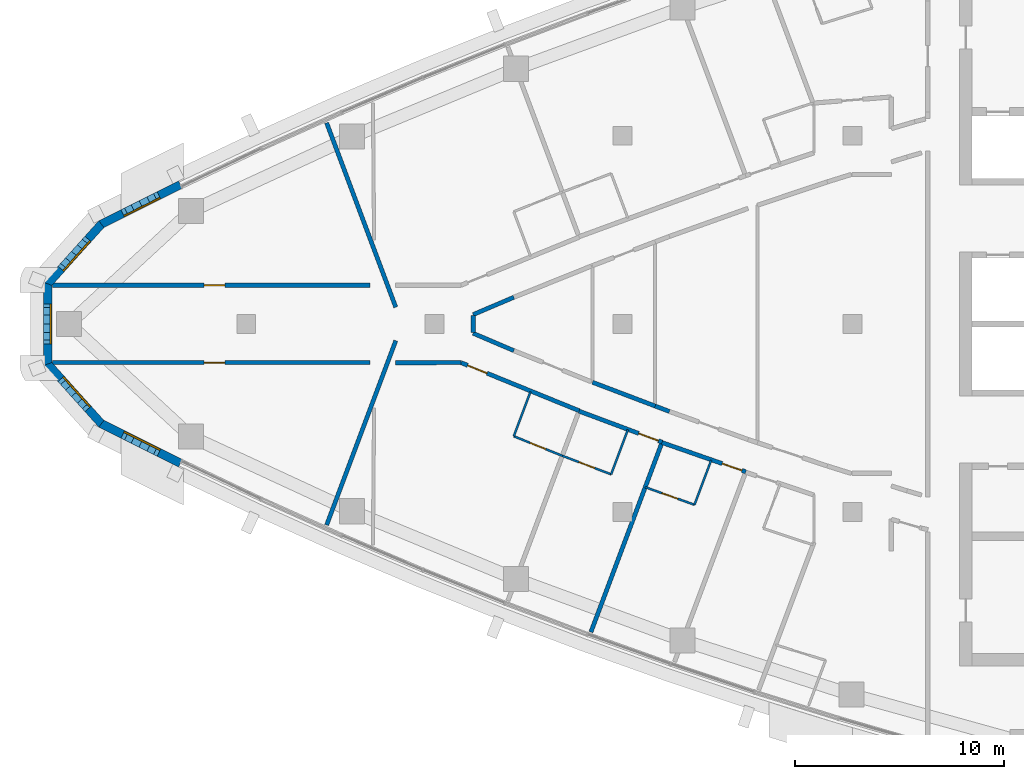
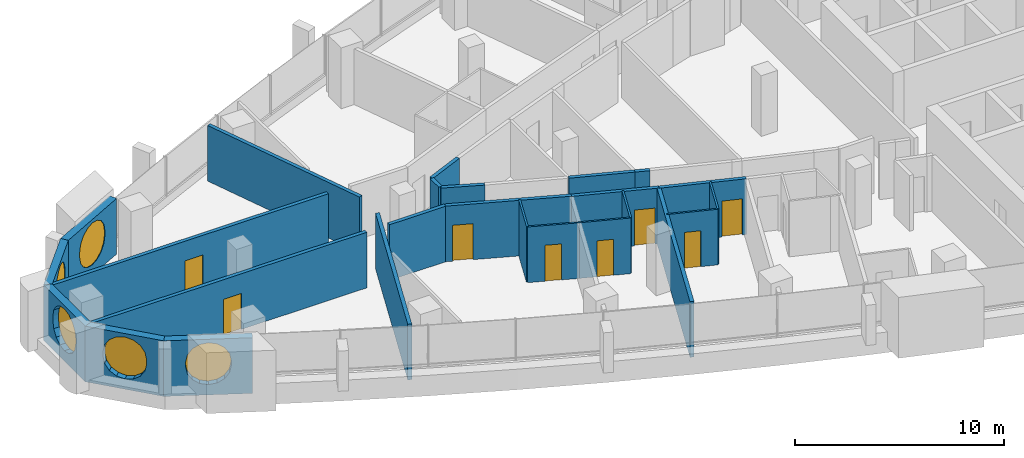
# One storey, part 8 of 16: 25 walls, 8 doors, 5 windows, 13 openings.
"""IFC4 building model written with IfcOpenShell, lengths in metres."""

from ifc_helpers import new_model, si_unit, direction, frame, frame_2d, origin, place, context, subcontext, project, spatial, polyline, rectangle, outline, extrude, material, layer, layer_set, type_object, element, fill, save


model = new_model("IFC4")

# Units and contexts
model_context = context("Model", 3, precision=1e-05, world=origin(), true_north=direction((0.0, 1.0)))
body_context = subcontext(model_context, "Body", "Model", "MODEL_VIEW")
ifc_project = project(units=[si_unit("LENGTHUNIT", "METRE"), si_unit("AREAUNIT", "SQUARE_METRE"), si_unit("VOLUMEUNIT", "CUBIC_METRE"), si_unit("PLANEANGLEUNIT", "RADIAN"), si_unit("MASSUNIT", "GRAM", prefix="KILO")], contexts=[model_context])

# Site, building, storey
site_placement = place(None, origin())
site = spatial("IfcSite", under=ifc_project, at=site_placement, CompositionType="ELEMENT")
building_placement = place(site_placement, origin())
building = spatial("IfcBuilding", under=site, at=building_placement, Name="Ostrand Prow Hotel Tower", CompositionType="ELEMENT")
storey_placement = place(building_placement, frame((0.0, 0.0, 224.35009765625)))
storey = spatial("IfcBuildingStorey", under=building, at=storey_placement, Name="L56", CompositionType="ELEMENT", Elevation=224.35009765625)

# Wall
ifc_material_1 = material(Name="Plasterboard partition")
ifc_layer_1 = layer(ifc_material_1, 0.10009765625)
ifc_layer_set_1 = layer_set([ifc_layer_1], Name="Plasterboard partition")
wall_type_1 = type_object("IfcWallType", Name="Partition 100 bathroom wall", PredefinedType="PARTITIONING", material=ifc_layer_set_1)
wall_1_placement = place(storey_placement, frame((28.792724609375, -5.371337890625, 0.0), z_axis=(0.0, 0.0, 1.0), x_axis=(0.351158682313, 0.936315961541, 0.0)))
element("IfcWall", 1, at=wall_1_placement, inside=storey, type_object=wall_type_1, Name="BATHROOM WALL", PredefinedType="PARTITIONING", context=body_context, shape_type="SweptSolid", body=[
    extrude(rectangle(XDim=2.277587890625, YDim=0.10009765625, at=frame_2d((1.138671875, 0.0))), origin(), (0.0, 0.0, 1.0), 3.25),
])

# Wall, opening, door
wall_2_placement = place(storey_placement, frame((31.112548828125, -6.3056640625, 0.0), z_axis=(0.0, 0.0, 1.0), x_axis=(-0.92761232595, 0.373544338394, 0.0)))
wall_2 = element("IfcWall", 2, at=wall_2_placement, inside=storey, type_object=wall_type_1, Name="BATHROOM WALL", PredefinedType="PARTITIONING", context=body_context, shape_type="SweptSolid", body=[
    extrude(rectangle(XDim=2.50048828125, YDim=0.10009765625, at=frame_2d((1.250244140625, 0.0))), origin(), (0.0, 0.0, 1.0), 3.25),
])
opening_1_placement = place(wall_2_placement, frame((0.85009765625, 0.0, 0.0)))
opening_1 = element("IfcOpeningElement", 3, at=opening_1_placement, cuts=wall_2, Name="Opening D2", PredefinedType="OPENING", context=body_context, shape_type="SweptSolid", body=[
    extrude(rectangle(XDim=0.800048828125, YDim=2.10009765625, at=frame_2d((0.39990234375, 1.050048828125))), frame((0.0, 0.06005859375, 0.0), z_axis=(0.0, -1.0, 0.0), x_axis=(1.0, 0.0, 0.0)), (0.0, 0.0, 1.0), 0.1201171875),
])
ifc_material_2 = material(Name="Timber door leaf", Category="wood")
door_type_1 = type_object("IfcDoorType", Name="Bathroom door 800", OperationType="SINGLE_SWING_LEFT", PredefinedType="DOOR", material=ifc_material_2)
door_1_placement = place(opening_1_placement, origin())
door_1 = element("IfcDoor", 4, at=door_1_placement, inside=storey, type_object=door_type_1, Name="DOOR", OperationType="SINGLE_SWING_LEFT", OverallHeight=2.10009765625, OverallWidth=0.800048828125, PredefinedType="DOOR", context=body_context, shape_type="SweptSolid", body=[
    extrude(rectangle(XDim=0.800048828125, YDim=2.10009765625, at=frame_2d((0.39990234375, 1.050048828125))), frame((0.0, 0.02490234375, 0.0), z_axis=(0.0, -1.0, 0.0), x_axis=(1.0, 0.0, 0.0)), (0.0, 0.0, 1.0), 0.050048828125),
])
fill(opening_1, door_1)

# Wall
wall_3_placement = place(storey_placement, frame((34.24951171875, -5.060546875, 0.0), z_axis=(0.0, 0.0, 1.0), x_axis=(-0.351135191353, -0.936324771323, 0.0)))
element("IfcWall", 5, at=wall_3_placement, inside=storey, type_object=wall_type_1, Name="BATHROOM WALL", PredefinedType="PARTITIONING", context=body_context, shape_type="SweptSolid", body=[
    extrude(rectangle(XDim=2.277099609375, YDim=0.10009765625, at=frame_2d((1.138671875, 0.0))), origin(), (0.0, 0.0, 1.0), 3.25),
])

# Wall, opening, door
wall_4_placement = place(storey_placement, frame((33.44970703125, -7.192626953125, 0.0), z_axis=(0.0, 0.0, 1.0), x_axis=(-0.93495051617, 0.354778145202, 0.0)))
wall_4 = element("IfcWall", 6, at=wall_4_placement, inside=storey, type_object=wall_type_1, Name="BATHROOM WALL", PredefinedType="PARTITIONING", context=body_context, shape_type="SweptSolid", body=[
    extrude(rectangle(XDim=2.49462890625, YDim=0.10009765625, at=frame_2d((1.247314453125, 0.0))), origin(), (0.0, 0.0, 1.0), 3.25),
])
opening_2_placement = place(wall_4_placement, frame((0.85009765625, 0.0, 0.0)))
opening_2 = element("IfcOpeningElement", 7, at=opening_2_placement, cuts=wall_4, Name="Opening D2", PredefinedType="OPENING", context=body_context, shape_type="SweptSolid", body=[
    extrude(rectangle(XDim=0.800048828125, YDim=2.10009765625, at=frame_2d((0.39990234375, 1.050048828125))), frame((0.0, 0.06005859375, 0.0), z_axis=(0.0, -1.0, 0.0), x_axis=(1.0, 0.0, 0.0)), (0.0, 0.0, 1.0), 0.1201171875),
])
door_2_placement = place(opening_2_placement, origin())
door_2 = element("IfcDoor", 8, at=door_2_placement, inside=storey, type_object=door_type_1, Name="DOOR", OperationType="SINGLE_SWING_LEFT", OverallHeight=2.10009765625, OverallWidth=0.800048828125, PredefinedType="DOOR", context=body_context, shape_type="SweptSolid", body=[
    extrude(rectangle(XDim=0.800048828125, YDim=2.10009765625, at=frame_2d((0.39990234375, 1.050048828125))), frame((0.0, 0.02490234375, 0.0), z_axis=(0.0, -1.0, 0.0), x_axis=(1.0, 0.0, 0.0)), (0.0, 0.0, 1.0), 0.050048828125),
])
fill(opening_2, door_2)

# Wall
wall_5_placement = place(storey_placement, frame((38.236083984375, -6.515625, 0.0), z_axis=(0.0, 0.0, 1.0), x_axis=(-0.351229183496, -0.936289517543, 0.0)))
element("IfcWall", 9, at=wall_5_placement, inside=storey, type_object=wall_type_1, Name="BATHROOM WALL", PredefinedType="PARTITIONING", context=body_context, shape_type="SweptSolid", body=[
    extrude(rectangle(XDim=2.277099609375, YDim=0.10009765625, at=frame_2d((1.138671875, 0.0))), origin(), (0.0, 0.0, 1.0), 3.25),
])

# Wall, opening, door
wall_6_placement = place(storey_placement, frame((37.436279296875, -8.64794921875, 0.0), z_axis=(0.0, 0.0, 1.0), x_axis=(-0.941896455552, 0.335903359641, 0.0)))
wall_6 = element("IfcWall", 10, at=wall_6_placement, inside=storey, type_object=wall_type_1, Name="BATHROOM WALL", PredefinedType="PARTITIONING", context=body_context, shape_type="SweptSolid", body=[
    extrude(rectangle(XDim=2.500244140625, YDim=0.10009765625, at=frame_2d((1.25, 0.0))), origin(), (0.0, 0.0, 1.0), 3.25),
])
opening_3_placement = place(wall_6_placement, frame((0.85009765625, 0.0, 0.0)))
opening_3 = element("IfcOpeningElement", 11, at=opening_3_placement, cuts=wall_6, Name="Opening D2", PredefinedType="OPENING", context=body_context, shape_type="SweptSolid", body=[
    extrude(rectangle(XDim=0.800048828125, YDim=2.10009765625, at=frame_2d((0.39990234375, 1.050048828125))), frame((0.0, 0.06005859375, 0.0), z_axis=(0.0, -1.0, 0.0), x_axis=(1.0, 0.0, 0.0)), (0.0, 0.0, 1.0), 0.1201171875),
])
door_3_placement = place(opening_3_placement, origin())
door_3 = element("IfcDoor", 12, at=door_3_placement, inside=storey, type_object=door_type_1, Name="DOOR", OperationType="SINGLE_SWING_LEFT", OverallHeight=2.10009765625, OverallWidth=0.800048828125, PredefinedType="DOOR", context=body_context, shape_type="SweptSolid", body=[
    extrude(rectangle(XDim=0.800048828125, YDim=2.10009765625, at=frame_2d((0.39990234375, 1.050048828125))), frame((0.0, 0.02490234375, 0.0), z_axis=(0.0, -1.0, 0.0), x_axis=(1.0, 0.0, 0.0)), (0.0, 0.0, 1.0), 0.050048828125),
])
fill(opening_3, door_3)

ifc_material_3 = material(Name="Plasterboard partition")
ifc_layer_2 = layer(ifc_material_3, 0.199951171875)
ifc_layer_set_2 = layer_set([ifc_layer_2], Name="Plasterboard partition")
wall_type_2 = type_object("IfcWallType", Name="Partition 200 corridor wall", PredefinedType="PARTITIONING", material=ifc_layer_set_2)
wall_7_placement = place(storey_placement, frame((6.724609375, 1.85009765625, 0.0), z_axis=(0.0, 0.0, 1.0), x_axis=(1.0, 0.0, 0.0)))
wall_7 = element("IfcWall", 13, at=wall_7_placement, inside=storey, type_object=wall_type_2, Name="CORRIDOR WALL", PredefinedType="PARTITIONING", context=body_context, shape_type="SweptSolid", body=[
    extrude(rectangle(XDim=15.187744140625, YDim=0.199951171875, at=frame_2d((7.59375, 0.0))), origin(), (0.0, 0.0, 1.0), 3.25),
])
opening_4_placement = place(wall_7_placement, frame((7.257080078125, 0.0, 0.0)))
opening_4 = element("IfcOpeningElement", 14, at=opening_4_placement, cuts=wall_7, Name="Opening D1", PredefinedType="OPENING", context=body_context, shape_type="SweptSolid", body=[
    extrude(rectangle(XDim=1.0, YDim=2.10009765625, at=frame_2d((0.5, 1.050048828125))), frame((0.0, 0.10986328125, 0.0), z_axis=(0.0, -1.0, 0.0), x_axis=(1.0, 0.0, 0.0)), (0.0, 0.0, 1.0), 0.219970703125),
])
ifc_material_4 = material(Name="Timber door leaf", Category="wood")
door_type_2 = type_object("IfcDoorType", Name="Guest room door 1000", OperationType="SINGLE_SWING_LEFT", PredefinedType="DOOR", material=ifc_material_4)
door_4_placement = place(opening_4_placement, origin())
door_4 = element("IfcDoor", 15, at=door_4_placement, inside=storey, type_object=door_type_2, Name="DOOR", OperationType="SINGLE_SWING_LEFT", OverallHeight=2.10009765625, OverallWidth=1.0, PredefinedType="DOOR", context=body_context, shape_type="SweptSolid", body=[
    extrude(rectangle(XDim=1.0, YDim=2.10009765625, at=frame_2d((0.5, 1.050048828125))), frame((0.0, 0.02490234375, 0.0), z_axis=(0.0, -1.0, 0.0), x_axis=(1.0, 0.0, 0.0)), (0.0, 0.0, 1.0), 0.050048828125),
])
fill(opening_4, door_4)

wall_8_placement = place(storey_placement, frame((6.724609375, -1.85009765625, 0.0), z_axis=(0.0, 0.0, 1.0), x_axis=(1.0, 0.0, 0.0)))
wall_8 = element("IfcWall", 16, at=wall_8_placement, inside=storey, type_object=wall_type_2, Name="CORRIDOR WALL", PredefinedType="PARTITIONING", context=body_context, shape_type="SweptSolid", body=[
    extrude(rectangle(XDim=15.187744140625, YDim=0.199951171875, at=frame_2d((7.59375, 0.0))), origin(), (0.0, 0.0, 1.0), 3.25),
])
opening_5_placement = place(wall_8_placement, frame((7.257080078125, 0.0, 0.0)))
opening_5 = element("IfcOpeningElement", 17, at=opening_5_placement, cuts=wall_8, Name="Opening D1R", PredefinedType="OPENING", context=body_context, shape_type="SweptSolid", body=[
    extrude(rectangle(XDim=1.0, YDim=2.10009765625, at=frame_2d((0.5, 1.050048828125))), frame((0.0, 0.10986328125, 0.0), z_axis=(0.0, -1.0, 0.0), x_axis=(1.0, 0.0, 0.0)), (0.0, 0.0, 1.0), 0.219970703125),
])
ifc_material_5 = material(Name="Timber door leaf", Category="wood")
door_type_3 = type_object("IfcDoorType", Name="Guest room door 1000 right", OperationType="SINGLE_SWING_RIGHT", PredefinedType="DOOR", material=ifc_material_5)
door_5_placement = place(opening_5_placement, origin())
door_5 = element("IfcDoor", 18, at=door_5_placement, inside=storey, type_object=door_type_3, Name="DOOR", OperationType="SINGLE_SWING_RIGHT", OverallHeight=2.10009765625, OverallWidth=1.0, PredefinedType="DOOR", context=body_context, shape_type="SweptSolid", body=[
    extrude(rectangle(XDim=1.0, YDim=2.10009765625, at=frame_2d((0.5, 1.050048828125))), frame((0.0, 0.02490234375, 0.0), z_axis=(0.0, -1.0, 0.0), x_axis=(1.0, 0.0, 0.0)), (0.0, 0.0, 1.0), 0.050048828125),
])
fill(opening_5, door_5)

wall_9_placement = place(storey_placement, frame((26.265869140625, -1.85009765625, 0.0), z_axis=(0.0, 0.0, 1.0), x_axis=(0.926231512449, -0.376955150311, 0.0)))
wall_9 = element("IfcWall", 19, at=wall_9_placement, inside=storey, type_object=wall_type_2, Name="CORRIDOR WALL", PredefinedType="PARTITIONING", context=body_context, shape_type="SweptSolid", body=[
    extrude(rectangle(XDim=6.10498046875, YDim=0.199951171875, at=frame_2d((3.052490234375, 0.0))), origin(), (0.0, 0.0, 1.0), 3.25),
])
opening_6_placement = place(wall_9_placement, frame((0.35009765625, 0.0, 0.0)))
opening_6 = element("IfcOpeningElement", 20, at=opening_6_placement, cuts=wall_9, Name="Opening D1", PredefinedType="OPENING", context=body_context, shape_type="SweptSolid", body=[
    extrude(rectangle(XDim=1.0, YDim=2.10009765625, at=frame_2d((0.5, 1.050048828125))), frame((0.0, 0.10986328125, 0.0), z_axis=(0.0, -1.0, 0.0), x_axis=(1.0, 0.0, 0.0)), (0.0, 0.0, 1.0), 0.219970703125),
])
door_6_placement = place(opening_6_placement, origin())
door_6 = element("IfcDoor", 21, at=door_6_placement, inside=storey, type_object=door_type_2, Name="DOOR", OperationType="SINGLE_SWING_LEFT", OverallHeight=2.10009765625, OverallWidth=1.0, PredefinedType="DOOR", context=body_context, shape_type="SweptSolid", body=[
    extrude(rectangle(XDim=1.0, YDim=2.10009765625, at=frame_2d((0.5, 1.050048828125))), frame((0.0, 0.02490234375, 0.0), z_axis=(0.0, -1.0, 0.0), x_axis=(1.0, 0.0, 0.0)), (0.0, 0.0, 1.0), 0.050048828125),
])
fill(opening_6, door_6)

wall_10_placement = place(storey_placement, frame((31.913330078125, -4.170166015625, 0.0), z_axis=(0.0, 0.0, 1.0), x_axis=(0.936848300955, -0.349735987565, 0.0)))
wall_10 = element("IfcWall", 22, at=wall_10_placement, inside=storey, type_object=wall_type_2, Name="CORRIDOR WALL", PredefinedType="PARTITIONING", context=body_context, shape_type="SweptSolid", body=[
    extrude(rectangle(XDim=4.24365234375, YDim=0.199951171875, at=frame_2d((2.121826171875, 0.0))), origin(), (0.0, 0.0, 1.0), 3.25),
])
opening_7_placement = place(wall_10_placement, frame((3.050048828125, 0.0, 0.0)))
opening_7 = element("IfcOpeningElement", 23, at=opening_7_placement, cuts=wall_10, Name="Opening D1", PredefinedType="OPENING", context=body_context, shape_type="SweptSolid", body=[
    extrude(rectangle(XDim=1.0, YDim=2.10009765625, at=frame_2d((0.5, 1.050048828125))), frame((0.0, 0.10986328125, 0.0), z_axis=(0.0, -1.0, 0.0), x_axis=(1.0, 0.0, 0.0)), (0.0, 0.0, 1.0), 0.219970703125),
])
door_7_placement = place(opening_7_placement, origin())
door_7 = element("IfcDoor", 24, at=door_7_placement, inside=storey, type_object=door_type_2, Name="DOOR", OperationType="SINGLE_SWING_LEFT", OverallHeight=2.10009765625, OverallWidth=1.0, PredefinedType="DOOR", context=body_context, shape_type="SweptSolid", body=[
    extrude(rectangle(XDim=1.0, YDim=2.10009765625, at=frame_2d((0.5, 1.050048828125))), frame((0.0, 0.02490234375, 0.0), z_axis=(0.0, -1.0, 0.0), x_axis=(1.0, 0.0, 0.0)), (0.0, 0.0, 1.0), 0.050048828125),
])
fill(opening_7, door_7)

wall_11_placement = place(storey_placement, frame((35.882080078125, -5.673095703125, 0.0), z_axis=(0.0, 0.0, 1.0), x_axis=(0.944107376821, -0.329638075823, 0.0)))
wall_11 = element("IfcWall", 25, at=wall_11_placement, inside=storey, type_object=wall_type_2, Name="CORRIDOR WALL", PredefinedType="PARTITIONING", context=body_context, shape_type="SweptSolid", body=[
    extrude(rectangle(XDim=4.24462890625, YDim=0.199951171875, at=frame_2d((2.122314453125, 0.0))), origin(), (0.0, 0.0, 1.0), 3.25),
])
opening_8_placement = place(wall_11_placement, frame((3.050048828125, 0.0, 0.0)))
opening_8 = element("IfcOpeningElement", 26, at=opening_8_placement, cuts=wall_11, Name="Opening D1", PredefinedType="OPENING", context=body_context, shape_type="SweptSolid", body=[
    extrude(rectangle(XDim=1.0, YDim=2.10009765625, at=frame_2d((0.5, 1.050048828125))), frame((0.0, 0.10986328125, 0.0), z_axis=(0.0, -1.0, 0.0), x_axis=(1.0, 0.0, 0.0)), (0.0, 0.0, 1.0), 0.219970703125),
])
door_8_placement = place(opening_8_placement, origin())
door_8 = element("IfcDoor", 27, at=door_8_placement, inside=storey, type_object=door_type_2, Name="DOOR", OperationType="SINGLE_SWING_LEFT", OverallHeight=2.10009765625, OverallWidth=1.0, PredefinedType="DOOR", context=body_context, shape_type="SweptSolid", body=[
    extrude(rectangle(XDim=1.0, YDim=2.10009765625, at=frame_2d((0.5, 1.050048828125))), frame((0.0, 0.02490234375, 0.0), z_axis=(0.0, -1.0, 0.0), x_axis=(1.0, 0.0, 0.0)), (0.0, 0.0, 1.0), 0.050048828125),
])
fill(opening_8, door_8)

# Walls
for number, where, z_axis, x_axis, name in (
    (28, (28.795654296875, -1.276123046875, 0.0), (0.0, 0.0, 1.0), (-0.91990756443, 0.392135273732, 0.0), "CORRIDOR WALL"),
    (29, (26.85009765625, 0.44677734375, 0.0), (0.0, 0.0, 1.0), (0.91990756443, 0.392135273732, 0.0), "CORRIDOR WALL"),
):
    element("IfcWall", number, at=place(storey_placement, frame(where, z_axis=z_axis, x_axis=x_axis)), inside=storey, type_object=wall_type_2, Name=name, PredefinedType="PARTITIONING", context=body_context, shape_type="SweptSolid", body=[
        extrude(rectangle(XDim=2.114990234375, YDim=0.199951171875, at=frame_2d((1.0576171875, 0.0))), origin(), (0.0, 0.0, 1.0), 3.25),
    ])
wall_12_placement = place(storey_placement, frame((35.556396484375, -3.927490234375, 0.0), z_axis=(0.0, 0.0, 1.0), x_axis=(-0.934971422854, 0.354723044706, 0.0)))
element("IfcWall", 30, at=wall_12_placement, inside=storey, type_object=wall_type_2, Name="CORRIDOR WALL", PredefinedType="PARTITIONING", context=body_context, shape_type="SweptSolid", body=[
    extrude(rectangle(XDim=3.208740234375, YDim=0.199951171875, at=frame_2d((1.6044921875, 0.0))), origin(), (0.0, 0.0, 1.0), 3.25),
])
wall_13_placement = place(storey_placement, frame((36.236328125, -4.185546875, 0.0), z_axis=(0.0, 0.0, 1.0), x_axis=(-0.934928414106, 0.354836385533, 0.0)))
element("IfcWall", 31, at=wall_13_placement, inside=storey, type_object=wall_type_2, Name="CORRIDOR WALL", PredefinedType="PARTITIONING", context=body_context, shape_type="SweptSolid", body=[
    extrude(rectangle(XDim=0.727294921875, YDim=0.199951171875, at=frame_2d((0.36376953125, 0.0))), origin(), (0.0, 0.0, 1.0), 3.25),
])
wall_14_placement = place(storey_placement, frame((26.85498046875, -0.406982421875, 0.0), z_axis=(0.0, 0.0, 1.0), x_axis=(0.0, 1.0, 0.0)))
element("IfcWall", 32, at=wall_14_placement, inside=storey, type_object=wall_type_2, Name="CORRIDOR WALL", PredefinedType="PARTITIONING", context=body_context, shape_type="SweptSolid", body=[
    extrude(rectangle(XDim=0.81396484375, YDim=0.199951171875, at=frame_2d((0.406982421875, 0.0))), origin(), (0.0, 0.0, 1.0), 3.25),
])
wall_15_placement = place(storey_placement, frame((23.148193359375, -1.8544921875, 0.0), z_axis=(0.0, 0.0, 1.0), x_axis=(0.999999006581, 0.001409552241, 0.0)))
element("IfcWall", 33, at=wall_15_placement, inside=storey, type_object=wall_type_2, Name="CORRIDOR WALL", PredefinedType="PARTITIONING", context=body_context, shape_type="SweptSolid", body=[
    extrude(rectangle(XDim=3.11767578125, YDim=0.199951171875, at=frame_2d((1.558837890625, 0.0))), origin(), (0.0, 0.0, 1.0), 3.25),
])
ifc_material_6 = material(Name="Plasterboard partition")
ifc_layer_3 = layer(ifc_material_6, 0.199951171875)
ifc_layer_set_3 = layer_set([ifc_layer_3], Name="Plasterboard partition")
wall_type_3 = type_object("IfcWallType", Name="Partition 200 key partition", PredefinedType="PARTITIONING", material=ifc_layer_set_3)
for number, where, z_axis, x_axis, name in (
    (34, (23.14990234375, 0.800048828125, 0.0), (0.0, 0.0, 1.0), (-0.351123441588, 0.936329177569, 0.0), "KEY PARTITION"),
    (35, (19.84375, -9.616455078125, 0.0), (0.0, 0.0, 1.0), (0.351123441588, 0.936329177569, 0.0), "KEY PARTITION"),
):
    element("IfcWall", number, at=place(storey_placement, frame(where, z_axis=z_axis, x_axis=x_axis)), inside=storey, type_object=wall_type_3, Name=name, PredefinedType="PARTITIONING", context=body_context, shape_type="SweptSolid", body=[
        extrude(rectangle(XDim=9.416015625, YDim=0.199951171875, at=frame_2d((4.7080078125, 0.0))), origin(), (0.0, 0.0, 1.0), 3.25),
    ])
wall_16_placement = place(storey_placement, frame((32.482666015625, -14.73779296875, 0.0), z_axis=(0.0, 0.0, 1.0), x_axis=(0.351117925717, 0.936331246002, 0.0)))
element("IfcWall", 36, at=wall_16_placement, inside=storey, type_object=wall_type_3, Name="KEY PARTITION", PredefinedType="PARTITIONING", context=body_context, shape_type="SweptSolid", body=[
    extrude(rectangle(XDim=9.701171875, YDim=0.199951171875, at=frame_2d((4.8505859375, 0.0))), origin(), (0.0, 0.0, 1.0), 3.25),
])

# Wall, opening, window
ifc_material_7 = material(Name="Precast concrete C40/50", Category="concrete")
ifc_layer_4 = layer(ifc_material_7, 0.39990234375)
ifc_layer_set_4 = layer_set([ifc_layer_4], Name="Precast concrete C40/50")
wall_type_4 = type_object("IfcWallType", Name="Stone-faced precast wall 400 mm", PredefinedType="NOTDEFINED", material=ifc_layer_set_4)
wall_17_placement = place(storey_placement, frame((12.849365234375, 6.66064453125, 0.0), z_axis=(0.0, 0.0, 1.0), x_axis=(-0.894554263274, -0.446959360634, 0.0)))
wall_17 = element("IfcWall", 37, at=wall_17_placement, inside=storey, type_object=wall_type_4, Name="Stone-faced wall prow 1", PredefinedType="NOTDEFINED", context=body_context, shape_type="SweptSolid", body=[
    extrude(outline(polyline([(0.0, -0.199951171875), (4.263671875, -0.199951171875), (4.1875, 0.199951171875), (0.0, 0.199951171875), (0.0, -0.199951171875)])), origin(), (0.0, 0.0, 1.0), 3.25),
])
opening_9_placement = place(wall_17_placement, frame((1.012939453125, 0.0, 0.60009765625)))
opening_9 = element("IfcOpeningElement", 38, at=opening_9_placement, cuts=wall_17, Name="Opening WP1", PredefinedType="OPENING", context=body_context, shape_type="SweptSolid", body=[
    extrude(outline(polyline([(0.0, 1.35009765625), (0.083740234375, 1.77099609375), (0.322265625, 2.127685546875), (0.678955078125, 2.3662109375), (1.10009765625, 2.449951171875), (1.52099609375, 2.3662109375), (1.877685546875, 2.127685546875), (2.1162109375, 1.77099609375), (2.199951171875, 1.35009765625), (2.199951171875, 1.10009765625), (2.1162109375, 0.678955078125), (1.877685546875, 0.322265625), (1.52099609375, 0.083740234375), (1.10009765625, 0.0), (0.678955078125, 0.083740234375), (0.322265625, 0.322265625), (0.083740234375, 0.678955078125), (0.0, 1.099853515625), (0.0, 1.35009765625)])), frame((0.0, 0.2099609375, 0.0), z_axis=(0.0, -1.0, 0.0), x_axis=(1.0, 0.0, 0.0)), (0.0, 0.0, 1.0), 0.419921875),
])
ifc_material_8 = material(Name="Insulated glass in bronze frame", Category="glass")
window_type = type_object("IfcWindowType", Name="Round-ended prow window 2200x2450", PartitioningType="SINGLE_PANEL", PredefinedType="WINDOW", material=ifc_material_8)
window_1_placement = place(opening_9_placement, origin())
window_1 = element("IfcWindow", 39, at=window_1_placement, inside=storey, type_object=window_type, Name="Window prow 1.1", OverallHeight=2.449951171875, OverallWidth=2.199951171875, PartitioningType="SINGLE_PANEL", PredefinedType="WINDOW", context=body_context, shape_type="SweptSolid", body=[
    extrude(outline(polyline([(0.0, 1.35009765625), (0.083740234375, 1.77099609375), (0.322265625, 2.127685546875), (0.678955078125, 2.3662109375), (1.10009765625, 2.449951171875), (1.52099609375, 2.3662109375), (1.877685546875, 2.127685546875), (2.1162109375, 1.77099609375), (2.199951171875, 1.35009765625), (2.199951171875, 1.10009765625), (2.1162109375, 0.678955078125), (1.877685546875, 0.322265625), (1.52099609375, 0.083740234375), (1.10009765625, 0.0), (0.678955078125, 0.083740234375), (0.322265625, 0.322265625), (0.083740234375, 0.678955078125), (0.0, 1.099853515625), (0.0, 1.35009765625)])), frame((0.0, 0.169921875, 0.0), z_axis=(0.0, -1.0, 0.0), x_axis=(1.0, 0.0, 0.0)), (0.0, 0.0, 1.0), 0.06005859375),
])
fill(opening_9, window_1)

wall_18_placement = place(storey_placement, frame((9.0693359375, 4.77197265625, 0.0), z_axis=(0.0, 0.0, 1.0), x_axis=(-0.668018215058, -0.744144921605, 0.0)))
wall_18 = element("IfcWall", 40, at=wall_18_placement, inside=storey, type_object=wall_type_4, Name="Stone-faced wall prow 2", PredefinedType="NOTDEFINED", context=body_context, shape_type="SweptSolid", body=[
    extrude(outline(polyline([(-0.0380859375, -0.199951171875), (3.912353515625, -0.199951171875), (3.759033203125, 0.199951171875), (0.0380859375, 0.199951171875), (-0.0380859375, -0.199951171875)])), origin(), (0.0, 0.0, 1.0), 3.25),
])
opening_10_placement = place(wall_18_placement, frame((0.81787109375, 0.0, 0.60009765625)))
opening_10 = element("IfcOpeningElement", 41, at=opening_10_placement, cuts=wall_18, Name="Opening WP1", PredefinedType="OPENING", context=body_context, shape_type="SweptSolid", body=[
    extrude(outline(polyline([(0.0, 1.35009765625), (0.083740234375, 1.77099609375), (0.322265625, 2.127685546875), (0.678955078125, 2.3662109375), (1.10009765625, 2.449951171875), (1.52099609375, 2.3662109375), (1.877685546875, 2.127685546875), (2.1162109375, 1.77099609375), (2.199951171875, 1.35009765625), (2.199951171875, 1.10009765625), (2.1162109375, 0.678955078125), (1.877685546875, 0.322265625), (1.52099609375, 0.083740234375), (1.10009765625, 0.0), (0.678955078125, 0.083740234375), (0.322265625, 0.322265625), (0.083740234375, 0.678955078125), (0.0, 1.099853515625), (0.0, 1.35009765625)])), frame((0.0, 0.2099609375, 0.0), z_axis=(0.0, -1.0, 0.0), x_axis=(1.0, 0.0, 0.0)), (0.0, 0.0, 1.0), 0.419921875),
])
window_2_placement = place(opening_10_placement, origin())
window_2 = element("IfcWindow", 42, at=window_2_placement, inside=storey, type_object=window_type, Name="Window prow 2.1", OverallHeight=2.449951171875, OverallWidth=2.199951171875, PartitioningType="SINGLE_PANEL", PredefinedType="WINDOW", context=body_context, shape_type="SweptSolid", body=[
    extrude(outline(polyline([(0.0, 1.35009765625), (0.083740234375, 1.77099609375), (0.322265625, 2.127685546875), (0.678955078125, 2.3662109375), (1.10009765625, 2.449951171875), (1.52099609375, 2.3662109375), (1.877685546875, 2.127685546875), (2.1162109375, 1.77099609375), (2.199951171875, 1.35009765625), (2.199951171875, 1.10009765625), (2.1162109375, 0.678955078125), (1.877685546875, 0.322265625), (1.52099609375, 0.083740234375), (1.10009765625, 0.0), (0.678955078125, 0.083740234375), (0.322265625, 0.322265625), (0.083740234375, 0.678955078125), (0.0, 1.099853515625), (0.0, 1.35009765625)])), frame((0.0, 0.169921875, 0.0), z_axis=(0.0, -1.0, 0.0), x_axis=(1.0, 0.0, 0.0)), (0.0, 0.0, 1.0), 0.06005859375),
])
fill(opening_10, window_2)

wall_19_placement = place(storey_placement, frame((6.507080078125, 1.917724609375, 0.0), z_axis=(0.0, 0.0, 1.0), x_axis=(0.0, -1.0, 0.0)))
wall_19 = element("IfcWall", 43, at=wall_19_placement, inside=storey, type_object=wall_type_4, Name="Stone-faced wall prow 3", PredefinedType="NOTDEFINED", context=body_context, shape_type="SweptSolid", body=[
    extrude(outline(polyline([(-0.07666015625, -0.199951171875), (3.912109375, -0.199951171875), (3.7587890625, 0.199951171875), (0.07666015625, 0.199951171875), (-0.07666015625, -0.199951171875)])), origin(), (0.0, 0.0, 1.0), 3.25),
])
opening_11_placement = place(wall_19_placement, frame((0.81787109375, 0.0, 0.60009765625)))
opening_11 = element("IfcOpeningElement", 44, at=opening_11_placement, cuts=wall_19, Name="Opening WP1", PredefinedType="OPENING", context=body_context, shape_type="SweptSolid", body=[
    extrude(outline(polyline([(0.0, 1.35009765625), (0.083740234375, 1.77099609375), (0.322265625, 2.127685546875), (0.678955078125, 2.3662109375), (1.10009765625, 2.449951171875), (1.52099609375, 2.3662109375), (1.877685546875, 2.127685546875), (2.1162109375, 1.77099609375), (2.199951171875, 1.35009765625), (2.199951171875, 1.10009765625), (2.1162109375, 0.678955078125), (1.877685546875, 0.322265625), (1.52099609375, 0.083740234375), (1.10009765625, 0.0), (0.678955078125, 0.083740234375), (0.322265625, 0.322265625), (0.083740234375, 0.678955078125), (0.0, 1.099853515625), (0.0, 1.35009765625)])), frame((0.0, 0.2099609375, 0.0), z_axis=(0.0, -1.0, 0.0), x_axis=(1.0, 0.0, 0.0)), (0.0, 0.0, 1.0), 0.419921875),
])
window_3_placement = place(opening_11_placement, origin())
window_3 = element("IfcWindow", 45, at=window_3_placement, inside=storey, type_object=window_type, Name="Window prow 3.1", OverallHeight=2.449951171875, OverallWidth=2.199951171875, PartitioningType="SINGLE_PANEL", PredefinedType="WINDOW", context=body_context, shape_type="SweptSolid", body=[
    extrude(outline(polyline([(0.0, 1.35009765625), (0.083740234375, 1.77099609375), (0.322265625, 2.127685546875), (0.678955078125, 2.3662109375), (1.10009765625, 2.449951171875), (1.52099609375, 2.3662109375), (1.877685546875, 2.127685546875), (2.1162109375, 1.77099609375), (2.199951171875, 1.35009765625), (2.199951171875, 1.10009765625), (2.1162109375, 0.678955078125), (1.877685546875, 0.322265625), (1.52099609375, 0.083740234375), (1.10009765625, 0.0), (0.678955078125, 0.083740234375), (0.322265625, 0.322265625), (0.083740234375, 0.678955078125), (0.0, 1.099853515625), (0.0, 1.35009765625)])), frame((0.0, 0.169921875, 0.0), z_axis=(0.0, -1.0, 0.0), x_axis=(1.0, 0.0, 0.0)), (0.0, 0.0, 1.0), 0.06005859375),
])
fill(opening_11, window_3)

wall_20_placement = place(storey_placement, frame((6.507080078125, -1.917724609375, 0.0), z_axis=(0.0, 0.0, 1.0), x_axis=(0.668018215058, -0.744144921605, 0.0)))
wall_20 = element("IfcWall", 46, at=wall_20_placement, inside=storey, type_object=wall_type_4, Name="Stone-faced wall prow 4", PredefinedType="NOTDEFINED", context=body_context, shape_type="SweptSolid", body=[
    extrude(outline(polyline([(-0.07666015625, -0.199951171875), (3.873779296875, -0.199951171875), (3.797607421875, 0.199951171875), (0.07666015625, 0.199951171875), (-0.07666015625, -0.199951171875)])), origin(), (0.0, 0.0, 1.0), 3.25),
])
opening_12_placement = place(wall_20_placement, frame((0.81787109375, 0.0, 0.60009765625)))
opening_12 = element("IfcOpeningElement", 47, at=opening_12_placement, cuts=wall_20, Name="Opening WP1", PredefinedType="OPENING", context=body_context, shape_type="SweptSolid", body=[
    extrude(outline(polyline([(0.0, 1.35009765625), (0.083740234375, 1.77099609375), (0.322265625, 2.127685546875), (0.678955078125, 2.3662109375), (1.10009765625, 2.449951171875), (1.52099609375, 2.3662109375), (1.877685546875, 2.127685546875), (2.1162109375, 1.77099609375), (2.199951171875, 1.35009765625), (2.199951171875, 1.10009765625), (2.1162109375, 0.678955078125), (1.877685546875, 0.322265625), (1.52099609375, 0.083740234375), (1.10009765625, 0.0), (0.678955078125, 0.083740234375), (0.322265625, 0.322265625), (0.083740234375, 0.678955078125), (0.0, 1.099853515625), (0.0, 1.35009765625)])), frame((0.0, 0.2099609375, 0.0), z_axis=(0.0, -1.0, 0.0), x_axis=(1.0, 0.0, 0.0)), (0.0, 0.0, 1.0), 0.419921875),
])
window_4_placement = place(opening_12_placement, origin())
window_4 = element("IfcWindow", 48, at=window_4_placement, inside=storey, type_object=window_type, Name="Window prow 4.1", OverallHeight=2.449951171875, OverallWidth=2.199951171875, PartitioningType="SINGLE_PANEL", PredefinedType="WINDOW", context=body_context, shape_type="SweptSolid", body=[
    extrude(outline(polyline([(0.0, 1.35009765625), (0.083740234375, 1.77099609375), (0.322265625, 2.127685546875), (0.678955078125, 2.3662109375), (1.10009765625, 2.449951171875), (1.52099609375, 2.3662109375), (1.877685546875, 2.127685546875), (2.1162109375, 1.77099609375), (2.199951171875, 1.35009765625), (2.199951171875, 1.10009765625), (2.1162109375, 0.678955078125), (1.877685546875, 0.322265625), (1.52099609375, 0.083740234375), (1.10009765625, 0.0), (0.678955078125, 0.083740234375), (0.322265625, 0.322265625), (0.083740234375, 0.678955078125), (0.0, 1.099853515625), (0.0, 1.35009765625)])), frame((0.0, 0.169921875, 0.0), z_axis=(0.0, -1.0, 0.0), x_axis=(1.0, 0.0, 0.0)), (0.0, 0.0, 1.0), 0.06005859375),
])
fill(opening_12, window_4)

wall_21_placement = place(storey_placement, frame((9.0693359375, -4.77197265625, 0.0), z_axis=(0.0, 0.0, 1.0), x_axis=(0.894554263274, -0.446959360634, 0.0)))
wall_21 = element("IfcWall", 49, at=wall_21_placement, inside=storey, type_object=wall_type_4, Name="Stone-faced wall prow 5", PredefinedType="NOTDEFINED", context=body_context, shape_type="SweptSolid", body=[
    extrude(outline(polyline([(-0.0380859375, -0.199951171875), (4.2255859375, -0.199951171875), (4.2255859375, 0.199951171875), (0.0380859375, 0.199951171875), (-0.0380859375, -0.199951171875)])), origin(), (0.0, 0.0, 1.0), 3.25),
])
opening_13_placement = place(wall_21_placement, frame((1.012939453125, 0.0, 0.60009765625)))
opening_13 = element("IfcOpeningElement", 50, at=opening_13_placement, cuts=wall_21, Name="Opening WP1", PredefinedType="OPENING", context=body_context, shape_type="SweptSolid", body=[
    extrude(outline(polyline([(0.0, 1.35009765625), (0.083740234375, 1.77099609375), (0.322265625, 2.127685546875), (0.678955078125, 2.3662109375), (1.10009765625, 2.449951171875), (1.52099609375, 2.3662109375), (1.877685546875, 2.127685546875), (2.1162109375, 1.77099609375), (2.199951171875, 1.35009765625), (2.199951171875, 1.10009765625), (2.1162109375, 0.678955078125), (1.877685546875, 0.322265625), (1.52099609375, 0.083740234375), (1.10009765625, 0.0), (0.678955078125, 0.083740234375), (0.322265625, 0.322265625), (0.083740234375, 0.678955078125), (0.0, 1.099853515625), (0.0, 1.35009765625)])), frame((0.0, 0.2099609375, 0.0), z_axis=(0.0, -1.0, 0.0), x_axis=(1.0, 0.0, 0.0)), (0.0, 0.0, 1.0), 0.419921875),
])
window_5_placement = place(opening_13_placement, origin())
window_5 = element("IfcWindow", 51, at=window_5_placement, inside=storey, type_object=window_type, Name="Window prow 5.1", OverallHeight=2.449951171875, OverallWidth=2.199951171875, PartitioningType="SINGLE_PANEL", PredefinedType="WINDOW", context=body_context, shape_type="SweptSolid", body=[
    extrude(outline(polyline([(0.0, 1.35009765625), (0.083740234375, 1.77099609375), (0.322265625, 2.127685546875), (0.678955078125, 2.3662109375), (1.10009765625, 2.449951171875), (1.52099609375, 2.3662109375), (1.877685546875, 2.127685546875), (2.1162109375, 1.77099609375), (2.199951171875, 1.35009765625), (2.199951171875, 1.10009765625), (2.1162109375, 0.678955078125), (1.877685546875, 0.322265625), (1.52099609375, 0.083740234375), (1.10009765625, 0.0), (0.678955078125, 0.083740234375), (0.322265625, 0.322265625), (0.083740234375, 0.678955078125), (0.0, 1.099853515625), (0.0, 1.35009765625)])), frame((0.0, 0.169921875, 0.0), z_axis=(0.0, -1.0, 0.0), x_axis=(1.0, 0.0, 0.0)), (0.0, 0.0, 1.0), 0.06005859375),
])
fill(opening_13, window_5)

save(model, "model.ifc")
